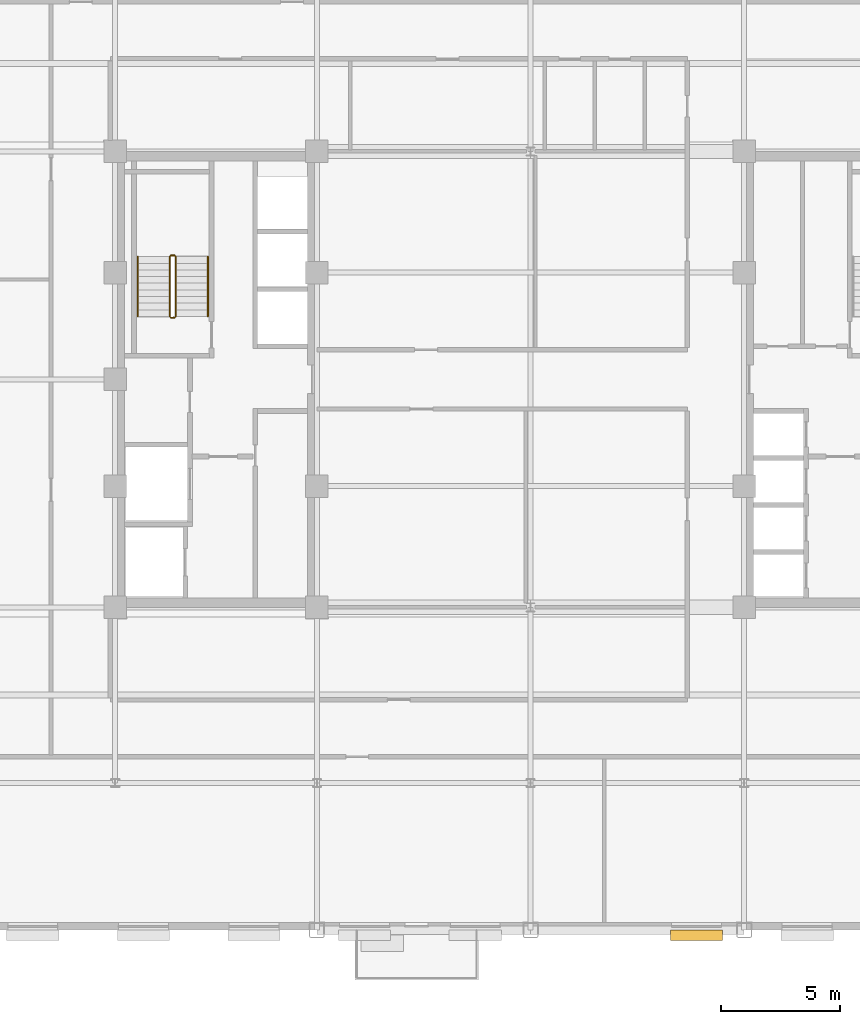
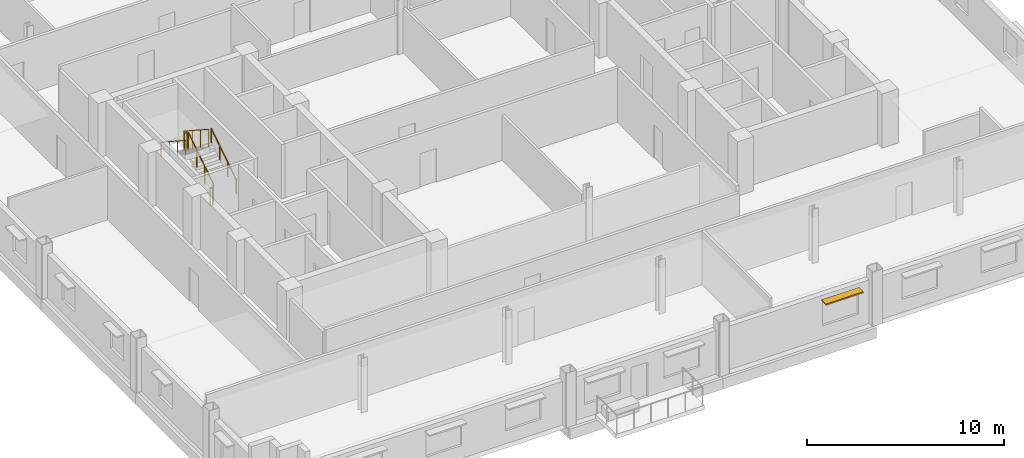
# One storey, part 12 of 14: 6 railings, 1 shading device.
"""IFC4 building model written with IfcOpenShell, lengths in metres."""

from ifc_helpers import new_model, si_unit, direction, frame, origin, origin_2d, place, context, subcontext, project, spatial, rectangle, circle, extrude, source, transform, mapped, material, type_object, type_shapes, element, save


model = new_model("IFC4")

# Units and contexts
model_context = context("Model", 3, precision=1e-05, world=origin(), true_north=direction((0.0, 1.0)))
body_context = subcontext(model_context, "Body", "Model", "MODEL_VIEW")
ifc_project = project(units=[si_unit("LENGTHUNIT", "METRE"), si_unit("AREAUNIT", "SQUARE_METRE"), si_unit("VOLUMEUNIT", "CUBIC_METRE"), si_unit("PLANEANGLEUNIT", "RADIAN"), si_unit("MASSUNIT", "GRAM", prefix="KILO")], contexts=[model_context])

# Site, building, storey
site_placement = place(None, origin())
site = spatial("IfcSite", under=ifc_project, at=site_placement, CompositionType="ELEMENT")
building_placement = place(site_placement, origin())
building = spatial("IfcBuilding", under=site, at=building_placement, Name="Nuvemarco Arch Tower", CompositionType="ELEMENT")
storey_placement = place(building_placement, frame((0.0, 0.0, 145.75)))
storey = spatial("IfcBuildingStorey", under=building, at=storey_placement, Name="L38", CompositionType="ELEMENT", Elevation=145.75)

# Railings
ifc_material_1 = material(Name="Brushed stainless steel handrail", Category="steel")
railing_type_1 = type_object("IfcRailingType", Name="RL-HANDRAIL-900", PredefinedType="HANDRAIL", material=ifc_material_1)
railing_1_placement = place(storey_placement, frame((-13.590087890625, 2.64990234375, 0.1826171875)))
element("IfcRailing", 1, at=railing_1_placement, inside=storey, type_object=railing_type_1, Name="L38 ST-1 stair handrail 1", PredefinedType="HANDRAIL", context=body_context, shape_type="SweptSolid", body=[
    extrude(circle(Radius=0.02392578125, at=origin_2d()), frame((0.0, 0.0, 0.8759765625), z_axis=(0.0, 0.837786554691, 0.545997883492), x_axis=(-1.0, 0.0, 0.0)), (0.0, 0.0, 1.0), 3.008056640625),
    extrude(circle(Radius=0.02099609375, at=origin_2d()), origin(), (0.0, 0.0, 1.0), 0.851806640625),
    extrude(circle(Radius=0.02099609375, at=origin_2d()), frame((0.0, 0.840087890625, 0.54736328125)), (0.0, 0.0, 1.0), 0.851806640625),
    extrude(circle(Radius=0.02099609375, at=origin_2d()), frame((0.0, 1.679931640625, 1.094970703125)), (0.0, 0.0, 1.0), 0.851806640625),
    extrude(circle(Radius=0.02099609375, at=origin_2d()), frame((0.0, 2.52001953125, 1.642333984375)), (0.0, 0.0, 1.0), 0.851806640625),
])
railing_2_placement = place(storey_placement, frame((-16.550048828125, 5.169921875, 2.007568359375)))
element("IfcRailing", 2, at=railing_2_placement, inside=storey, type_object=railing_type_1, Name="L38 ST-1 stair handrail 2", PredefinedType="HANDRAIL", context=body_context, shape_type="SweptSolid", body=[
    extrude(circle(Radius=0.02392578125, at=origin_2d()), frame((0.0, 0.0, 0.8759765625), z_axis=(0.0, -0.837786554691, 0.545997883492), x_axis=(1.0, 0.0, 0.0)), (0.0, 0.0, 1.0), 3.008056640625),
    extrude(circle(Radius=0.02099609375, at=origin_2d()), origin(), (0.0, 0.0, 1.0), 0.851806640625),
    extrude(circle(Radius=0.02099609375, at=origin_2d()), frame((0.0, -0.840087890625, 0.54736328125)), (0.0, 0.0, 1.0), 0.851806640625),
    extrude(circle(Radius=0.02099609375, at=origin_2d()), frame((0.0, -1.679931640625, 1.094970703125)), (0.0, 0.0, 1.0), 0.851806640625),
    extrude(circle(Radius=0.02099609375, at=origin_2d()), frame((0.0, -2.52001953125, 1.642333984375)), (0.0, 0.0, 1.0), 0.851806640625),
])
ifc_material_2 = material(Name="Painted balustrade steel S355", Category="steel")
railing_type_2 = type_object("IfcRailingType", Name="RL-STAIR-GUARD", PredefinedType="GUARDRAIL", material=ifc_material_2)
railing_3_placement = place(storey_placement, frame((-14.93994140625, 2.64990234375, 0.1826171875)))
element("IfcRailing", 3, at=railing_3_placement, inside=storey, type_object=railing_type_2, Name="L38 ST-1 stair guard 1", PredefinedType="GUARDRAIL", context=body_context, shape_type="SweptSolid", body=[
    extrude(circle(Radius=0.02392578125, at=origin_2d()), frame((0.0, 0.0, 1.09619140625), z_axis=(0.0, 0.837786554691, 0.545997883492), x_axis=(-1.0, 0.0, 0.0)), (0.0, 0.0, 1.0), 3.008056640625),
    extrude(circle(Radius=0.02099609375, at=origin_2d()), origin(), (0.0, 0.0, 1.0), 1.072021484375),
    extrude(circle(Radius=0.02099609375, at=origin_2d()), frame((0.0, 0.840087890625, 0.54736328125)), (0.0, 0.0, 1.0), 1.072021484375),
    extrude(circle(Radius=0.02099609375, at=origin_2d()), frame((0.0, 1.679931640625, 1.094970703125)), (0.0, 0.0, 1.0), 1.072021484375),
    extrude(circle(Radius=0.02099609375, at=origin_2d()), frame((0.0, 2.52001953125, 1.642333984375)), (0.0, 0.0, 1.0), 1.072021484375),
])
railing_4_placement = place(storey_placement, frame((-14.989990234375, 5.219970703125, 1.824951171875)))
element("IfcRailing", 4, at=railing_4_placement, inside=storey, type_object=railing_type_2, Name="L38 ST-1 stair guard 2", PredefinedType="GUARDRAIL", context=body_context, shape_type="SweptSolid", body=[
    extrude(circle(Radius=0.02392578125, at=origin_2d()), frame((0.0, 0.0, 1.09619140625), z_axis=(-1.0, 0.0, 0.0), x_axis=(0.0, -1.0, 0.0)), (0.0, 0.0, 1.0), 0.159912109375),
    extrude(circle(Radius=0.02099609375, at=origin_2d()), origin(), (0.0, 0.0, 1.0), 1.072021484375),
    extrude(circle(Radius=0.02099609375, at=origin_2d()), frame((-0.159912109375, 0.0, 0.0)), (0.0, 0.0, 1.0), 1.072021484375),
])
railing_5_placement = place(storey_placement, frame((-15.199951171875, 5.169921875, 2.007568359375)))
element("IfcRailing", 5, at=railing_5_placement, inside=storey, type_object=railing_type_2, Name="L38 ST-1 stair guard 3", PredefinedType="GUARDRAIL", context=body_context, shape_type="SweptSolid", body=[
    extrude(circle(Radius=0.02392578125, at=origin_2d()), frame((0.0, 0.0, 1.09619140625), z_axis=(0.0, -0.837786554691, 0.545997883492), x_axis=(1.0, 0.0, 0.0)), (0.0, 0.0, 1.0), 3.008056640625),
    extrude(circle(Radius=0.02099609375, at=origin_2d()), origin(), (0.0, 0.0, 1.0), 1.072021484375),
    extrude(circle(Radius=0.02099609375, at=origin_2d()), frame((0.0, -0.840087890625, 0.54736328125)), (0.0, 0.0, 1.0), 1.072021484375),
    extrude(circle(Radius=0.02099609375, at=origin_2d()), frame((0.0, -1.679931640625, 1.094970703125)), (0.0, 0.0, 1.0), 1.072021484375),
    extrude(circle(Radius=0.02099609375, at=origin_2d()), frame((0.0, -2.52001953125, 1.642333984375)), (0.0, 0.0, 1.0), 1.072021484375),
])
railing_6_placement = place(storey_placement, frame((-14.989990234375, 2.60009765625, 0.0)))
element("IfcRailing", 6, at=railing_6_placement, inside=storey, type_object=railing_type_2, Name="L38 ST-1 stair guard 4", PredefinedType="GUARDRAIL", context=body_context, shape_type="SweptSolid", body=[
    extrude(circle(Radius=0.02392578125, at=origin_2d()), frame((0.0, 0.0, 1.09619140625), z_axis=(-1.0, 0.0, 0.0), x_axis=(0.0, -1.0, 0.0)), (0.0, 0.0, 1.0), 0.159912109375),
    extrude(circle(Radius=0.02099609375, at=origin_2d()), origin(), (0.0, 0.0, 1.0), 1.072021484375),
    extrude(circle(Radius=0.02099609375, at=origin_2d()), frame((-0.159912109375, 0.0, 0.0)), (0.0, 0.0, 1.0), 1.072021484375),
])

# Shading device
ifc_material_3 = material(Name="Anodised aluminium 6063-T6", Category="aluminium")
shading_device_type = type_object("IfcShadingDeviceType", Name="SHD-BRISE-SOLEIL", PredefinedType="USERDEFINED", material=ifc_material_3)
shared_shape = source(origin(), body_context, "Body", "SweptSolid", [
    extrude(rectangle(XDim=2.199951171875, YDim=0.449951171875, at=origin_2d()), origin(), (0.0, 0.0, 1.0), 0.080078125),
])
type_shapes(shading_device_type, [shared_shape])
shading_device_placement = place(storey_placement, frame((6.989990234375, -23.4150390625, 2.364990234375), z_axis=(0.0, 0.0, 1.0), x_axis=(1.0, 0.0, 0.0)))
element("IfcShadingDevice", 7, at=shading_device_placement, inside=storey, type_object=shading_device_type, Name="L38 horizontal brise-soleil sunshade", ObjectType="SUNSHADE", PredefinedType="USERDEFINED", context=body_context, shape_type="MappedRepresentation", body=[
    mapped(shared_shape, transform((0.0, 0.0, 0.0), scale=1.0)),
])

save(model, "model.ifc")
